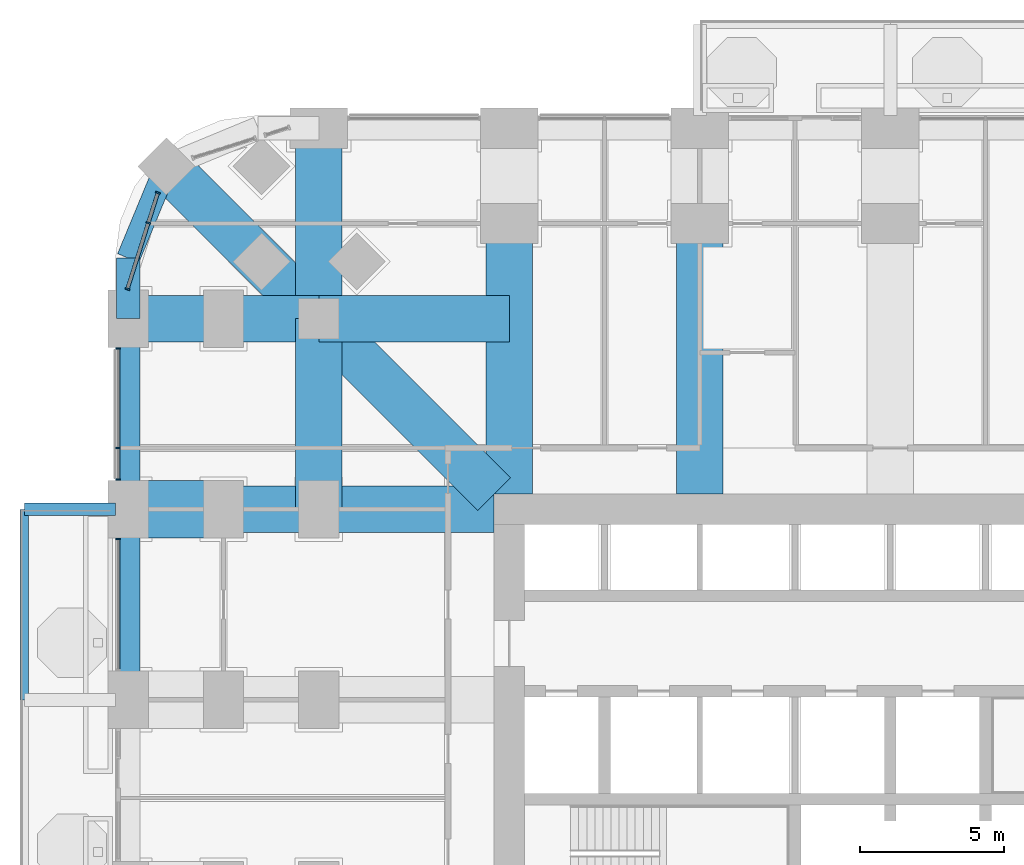
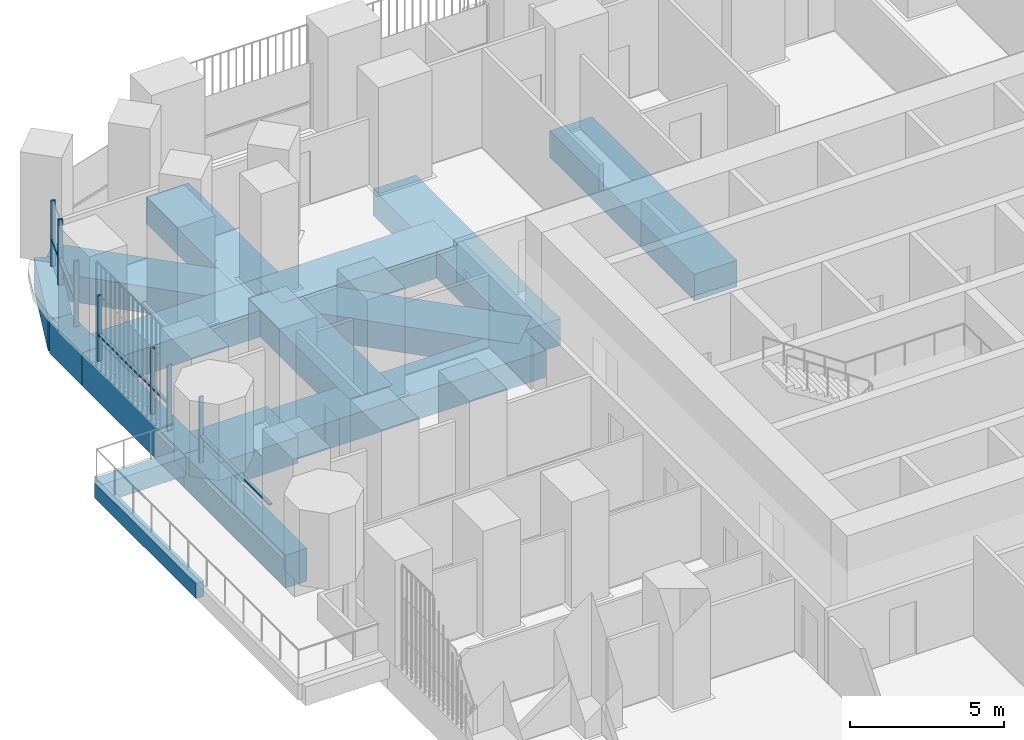
# One storey, part 6 of 25: 16 beams, 12 members, 3 elements without a shape of their own.
"""IFC4 building model written with IfcOpenShell, lengths in metres."""

from ifc_helpers import new_model, si_unit, direction, frame, origin, origin_2d, place, context, subcontext, project, spatial, rectangle, extrude, material, material_profile, profile_set, type_object, element, aggregate, save


model = new_model("IFC4")

# Units and contexts
model_context = context("Model", 3, precision=1e-05, world=origin(), true_north=direction((0.0, 1.0)))
body_context = subcontext(model_context, "Body", "Model", "MODEL_VIEW")
ifc_project = project(units=[si_unit("LENGTHUNIT", "METRE"), si_unit("AREAUNIT", "SQUARE_METRE"), si_unit("VOLUMEUNIT", "CUBIC_METRE"), si_unit("PLANEANGLEUNIT", "RADIAN"), si_unit("MASSUNIT", "GRAM", prefix="KILO")], contexts=[model_context])

# Site, building, storey
site_placement = place(None, origin())
site = spatial("IfcSite", under=ifc_project, at=site_placement, CompositionType="ELEMENT")
building_placement = place(site_placement, origin())
building = spatial("IfcBuilding", under=site, at=building_placement, Name="Cobogo Forest Laboratory Tower", CompositionType="ELEMENT")
storey_placement = place(building_placement, frame((0.0, 0.0, 67.5)))
storey = spatial("IfcBuildingStorey", under=building, at=storey_placement, Name="L15", CompositionType="ELEMENT", Elevation=67.5)

# Beams
ifc_material_1 = material(Name="Concrete HA-40 (C40/50)", Category="concrete")
ifc_material_profile_1 = material_profile(ifc_material_1, rectangle(XDim=0.449951171875, YDim=0.75, at=origin_2d()), Name="RC 450x750")
ifc_profile_set_1 = profile_set([ifc_material_profile_1], Name="Concrete HA-40 (C40/50)")
beam_type_1 = type_object("IfcBeamType", Name="Balcony cantilever beam 450x750", PredefinedType="BEAM", material=ifc_profile_set_1)
beam_1_placement = place(storey_placement, frame((-0.449951171875, 33.0, -0.625), z_axis=(-1.0, 0.0, 0.0), x_axis=(0.0, -1.0, 0.0)))
element("IfcBeam", 1, at=beam_1_placement, inside=storey, type_object=beam_type_1, Name="CB1 BAL-W1-C3 L15", PredefinedType="BEAM", context=body_context, shape_type="SweptSolid", body=[
    extrude(rectangle(XDim=0.449951171875, YDim=0.75, at=origin_2d()), origin(), (0.0, 0.0, 1.0), 3.150146484375),
])
ifc_material_profile_2 = material_profile(ifc_material_1, rectangle(XDim=0.300048828125, YDim=0.60009765625, at=origin_2d()), Name="RC 300x600")
ifc_profile_set_2 = profile_set([ifc_material_profile_2], Name="Concrete HA-40 (C40/50)")
beam_type_2 = type_object("IfcBeamType", Name="Balcony edge beam 300x600", PredefinedType="BEAM", material=ifc_profile_set_2)
beam_2_placement = place(storey_placement, frame((-3.60009765625, 26.39990234375, -0.550048828125), z_axis=(0.0, 1.0, 0.0), x_axis=(-1.0, 0.0, 0.0)))
element("IfcBeam", 2, at=beam_2_placement, inside=storey, type_object=beam_type_2, Name="BB1 BAL-W1-T2 L15", PredefinedType="BEAM", context=body_context, shape_type="SweptSolid", body=[
    extrude(rectangle(XDim=0.300048828125, YDim=0.60009765625, at=origin_2d()), origin(), (0.0, 0.0, 1.0), 6.60009765625),
])
ifc_material_2 = material(Name="Concrete HA-50 (C50/60)", Category="concrete")
ifc_material_profile_3 = material_profile(ifc_material_2, rectangle(XDim=2.0, YDim=1.050048828125, at=origin_2d()), Name="RC 2000x1050")
ifc_profile_set_3 = profile_set([ifc_material_profile_3], Name="Concrete HA-50 (C50/60)")
beam_type_3 = type_object("IfcBeamType", Name="End-bay wide beam 2000x1050", PredefinedType="BEAM", material=ifc_profile_set_3)
beam_3_placement = place(storey_placement, frame((0.0, 33.0, -0.824951171875), z_axis=(1.0, 0.0, 0.0), x_axis=(0.0, 1.0, 0.0)))
element("IfcBeam", 3, at=beam_3_placement, inside=storey, type_object=beam_type_3, Name="RB7 R-F-W-X L15", PredefinedType="BEAM", context=body_context, shape_type="SweptSolid", body=[
    extrude(rectangle(XDim=2.0, YDim=1.050048828125, at=origin_2d()), origin(), (0.0, 0.0, 1.0), 3.300048828125),
])
ifc_material_profile_4 = material_profile(ifc_material_2, rectangle(XDim=1.60009765625, YDim=1.050048828125, at=origin_2d()), Name="RC 1600x1050")
ifc_profile_set_4 = profile_set([ifc_material_profile_4], Name="Concrete HA-50 (C50/60)")
beam_type_4 = type_object("IfcBeamType", Name="Laboratory floor wide beam 1600x1050", PredefinedType="BEAM", material=ifc_profile_set_4)
for number, where, z_axis, x_axis, name in (
    (4, (13.199951171875, 33.52490234375, -0.824951171875), (0.0, 1.0, 0.0), (-1.0, 0.0, 0.0), "RB8 R-3-N L15"),
    (5, (19.800048828125, 33.52490234375, -0.824951171875), (0.0, 1.0, 0.0), (-1.0, 0.0, 0.0), "RB8 R-4-N L15"),
    (6, (12.675048828125, 33.0, -0.824951171875), (-1.0, 0.0, 0.0), (0.0, -1.0, 0.0), "RB8 R-F-W L15"),
):
    element("IfcBeam", number, at=place(storey_placement, frame(where, z_axis=z_axis, x_axis=x_axis)), inside=storey, type_object=beam_type_4, Name=name, PredefinedType="BEAM", context=body_context, shape_type="SweptSolid", body=[
        extrude(rectangle(XDim=1.60009765625, YDim=1.050048828125, at=origin_2d()), origin(), (0.0, 0.0, 1.0), 9.375),
    ])
beam_4_placement = place(storey_placement, frame((6.60009765625, 46.199951171875, -0.824951171875), z_axis=(0.0, -1.0, 0.0), x_axis=(1.0, 0.0, 0.0)))
element("IfcBeam", 7, at=beam_4_placement, inside=storey, type_object=beam_type_4, Name="RB8 G-NW-XF L15", PredefinedType="BEAM", context=body_context, shape_type="SweptSolid", body=[
    extrude(rectangle(XDim=1.60009765625, YDim=1.050048828125, at=origin_2d()), origin(), (0.0, 0.0, 1.0), 6.599853515625),
])
for number, where, z_axis, x_axis, name in (
    (8, (6.60009765625, 39.60009765625, -0.824951171875), (0.0, -1.0, 0.0), (1.0, 0.0, 0.0), "RB8 G-NW-XC L15"),
    (9, (0.0, 39.60009765625, -0.824951171875), (1.0, 0.0, 0.0), (0.0, 1.0, 0.0), "RB8 G-NW-YF L15"),
):
    element("IfcBeam", number, at=place(storey_placement, frame(where, z_axis=z_axis, x_axis=x_axis)), inside=storey, type_object=beam_type_4, Name=name, PredefinedType="BEAM", context=body_context, shape_type="SweptSolid", body=[
        extrude(rectangle(XDim=1.60009765625, YDim=1.050048828125, at=origin_2d()), origin(), (0.0, 0.0, 1.0), 6.60009765625),
    ])
beam_5_placement = place(storey_placement, frame((6.60009765625, 39.60009765625, -0.824951171875), z_axis=(1.0, 0.0, 0.0), x_axis=(0.0, 1.0, 0.0)))
element("IfcBeam", 10, at=beam_5_placement, inside=storey, type_object=beam_type_4, Name="RB8 G-NW-YC L15", PredefinedType="BEAM", context=body_context, shape_type="SweptSolid", body=[
    extrude(rectangle(XDim=1.60009765625, YDim=1.050048828125, at=origin_2d()), origin(), (0.0, 0.0, 1.0), 6.599853515625),
])
beam_6_placement = place(storey_placement, frame((1.318115234375, 44.882080078125, -0.824951171875), z_axis=(0.707106781187, -0.707106781187, 0.0), x_axis=(0.707106781187, 0.707106781187, 0.0)))
element("IfcBeam", 11, at=beam_6_placement, inside=storey, type_object=beam_type_4, Name="RB8 G-NW-D1 L15", PredefinedType="BEAM", context=body_context, shape_type="SweptSolid", body=[
    extrude(rectangle(XDim=1.60009765625, YDim=1.050048828125, at=origin_2d()), origin(), (0.0, 0.0, 1.0), 7.469970703125),
])
beam_7_placement = place(storey_placement, frame((6.60009765625, 39.60009765625, -0.824951171875), z_axis=(0.707092572697, -0.70712098939, 0.0), x_axis=(0.70712098939, 0.707092572697, 0.0)))
element("IfcBeam", 12, at=beam_7_placement, inside=storey, type_object=beam_type_4, Name="RB8 G-NW-D2 L15", PredefinedType="BEAM", context=body_context, shape_type="SweptSolid", body=[
    extrude(rectangle(XDim=1.60009765625, YDim=1.050048828125, at=origin_2d()), origin(), (0.0, 0.0, 1.0), 8.591552734375),
])

# Curtain wall, members
ifc_material_3 = material(Name="Aluminium curtain wall", Category="aluminium")
curtain_wall_type = type_object("IfcCurtainWallType", Name="CW-1 unitised curtain wall, clear glazing, laboratory floors zones A and B", PredefinedType="USERDEFINED", material=ifc_material_3)
curtain_wall_1_placement = place(storey_placement, origin())
curtain_wall_1 = element("IfcCurtainWall", 13, at=curtain_wall_1_placement, inside=storey, type_object=curtain_wall_type, Name="Curtain wall 26 L15", ObjectType="UNITISED CURTAIN WALL", PredefinedType="USERDEFINED")
ifc_material_4 = material(Name="Aluminium mullion", Category="aluminium")
ifc_material_profile_5 = material_profile(ifc_material_4, rectangle(XDim=0.06005859375, YDim=0.159912109375, at=origin_2d()), Name="AL 60x160")
ifc_profile_set_5 = profile_set([ifc_material_profile_5], Name="Aluminium mullion")
member_type_1 = type_object("IfcMemberType", Name="MU-1 aluminium mullion 60x160", PredefinedType="MULLION", material=ifc_profile_set_5)
member_1_placement = place(storey_placement, frame((1.02734375, 43.961181640625, 0.0), z_axis=(0.0, 0.0, 1.0), x_axis=(-0.301135433696, -0.953581381201, 0.0)))
member_1 = element("IfcMember", 14, at=member_1_placement, type_object=member_type_1, Name="CW-1 mullion 1", PredefinedType="MULLION", context=body_context, shape_type="SweptSolid", body=[
    extrude(rectangle(XDim=0.06005859375, YDim=0.159912109375, at=origin_2d()), origin(), (0.0, 0.0, 1.0), 2.60009765625),
])
member_2_placement = place(storey_placement, frame((0.69970703125, 42.924072265625, 0.0), z_axis=(0.0, 0.0, 1.0), x_axis=(-0.301135433696, -0.953581381201, 0.0)))
member_2 = element("IfcMember", 15, at=member_2_placement, type_object=member_type_1, Name="CW-1 mullion 2", PredefinedType="MULLION", context=body_context, shape_type="SweptSolid", body=[
    extrude(rectangle(XDim=0.06005859375, YDim=0.159912109375, at=origin_2d()), origin(), (0.0, 0.0, 1.0), 2.60009765625),
])
member_3_placement = place(storey_placement, frame((-0.025146484375, 40.628662109375, 0.0), z_axis=(0.0, 0.0, 1.0), x_axis=(-0.301135433696, -0.953581381201, 0.0)))
member_3 = element("IfcMember", 16, at=member_3_placement, type_object=member_type_1, Name="CW-1 mullion 3", PredefinedType="MULLION", context=body_context, shape_type="SweptSolid", body=[
    extrude(rectangle(XDim=0.06005859375, YDim=0.159912109375, at=origin_2d()), origin(), (0.0, 0.0, 1.0), 2.60009765625),
])

curtain_wall_2_placement = place(storey_placement, origin())
curtain_wall_2 = element("IfcCurtainWall", 17, at=curtain_wall_2_placement, inside=storey, type_object=curtain_wall_type, Name="Curtain wall 27 L15", ObjectType="UNITISED CURTAIN WALL", PredefinedType="USERDEFINED")
member_4_placement = place(storey_placement, frame((-0.35009765625, 38.570068359375, 0.0), z_axis=(0.0, 0.0, 1.0), x_axis=(0.0, -1.0, 0.0)))
member_4 = element("IfcMember", 18, at=member_4_placement, type_object=member_type_1, Name="CW-1 mullion 1", PredefinedType="MULLION", context=body_context, shape_type="SweptSolid", body=[
    extrude(rectangle(XDim=0.06005859375, YDim=0.159912109375, at=origin_2d()), origin(), (0.0, 0.0, 1.0), 2.60009765625),
])
member_5_placement = place(storey_placement, frame((-0.35009765625, 35.125, 0.0), z_axis=(0.0, 0.0, 1.0), x_axis=(0.0, -1.0, 0.0)))
member_5 = element("IfcMember", 19, at=member_5_placement, type_object=member_type_1, Name="CW-1 mullion 2", PredefinedType="MULLION", context=body_context, shape_type="SweptSolid", body=[
    extrude(rectangle(XDim=0.06005859375, YDim=0.159912109375, at=origin_2d()), origin(), (0.0, 0.0, 1.0), 2.60009765625),
])
member_6_placement = place(storey_placement, frame((-0.35009765625, 34.030029296875, 0.0), z_axis=(0.0, 0.0, 1.0), x_axis=(0.0, -1.0, 0.0)))
member_6 = element("IfcMember", 20, at=member_6_placement, type_object=member_type_1, Name="CW-1 mullion 3", PredefinedType="MULLION", context=body_context, shape_type="SweptSolid", body=[
    extrude(rectangle(XDim=0.06005859375, YDim=0.159912109375, at=origin_2d()), origin(), (0.0, 0.0, 1.0), 2.60009765625),
])

# Curtain wall, member
curtain_wall_3_placement = place(storey_placement, origin())
curtain_wall_3 = element("IfcCurtainWall", 21, at=curtain_wall_3_placement, inside=storey, type_object=curtain_wall_type, Name="Curtain wall 28 L15", ObjectType="UNITISED CURTAIN WALL", PredefinedType="USERDEFINED")
member_7_placement = place(storey_placement, frame((-0.35009765625, 31.969970703125, 0.0), z_axis=(0.0, 0.0, 1.0), x_axis=(0.0, -1.0, 0.0)))
member_7 = element("IfcMember", 22, at=member_7_placement, type_object=member_type_1, Name="CW-1 mullion 1", PredefinedType="MULLION", context=body_context, shape_type="SweptSolid", body=[
    extrude(rectangle(XDim=0.06005859375, YDim=0.159912109375, at=origin_2d()), origin(), (0.0, 0.0, 1.0), 2.60009765625),
])

# Beams
ifc_material_profile_6 = material_profile(ifc_material_1, rectangle(XDim=0.800048828125, YDim=1.300048828125, at=origin_2d()), Name="RC 800x1300")
ifc_profile_set_6 = profile_set([ifc_material_profile_6], Name="Concrete HA-40 (C40/50)")
beam_type_5 = type_object("IfcBeamType", Name="Perimeter edge beam 800x1300", PredefinedType="BEAM", material=ifc_profile_set_6)
for number, where, z_axis, x_axis, name in (
    (23, (0.0, 26.39990234375, -0.949951171875), (0.0, 1.0, 0.0), (-1.0, 0.0, 0.0), "EB2 E-W4 L15"),
    (24, (0.0, 33.0, -0.949951171875), (0.0, 1.0, 0.0), (-1.0, 0.0, 0.0), "EB2 E-W5 L15"),
):
    element("IfcBeam", number, at=place(storey_placement, frame(where, z_axis=z_axis, x_axis=x_axis)), inside=storey, type_object=beam_type_5, Name=name, PredefinedType="BEAM", context=body_context, shape_type="SweptSolid", body=[
        extrude(rectangle(XDim=0.800048828125, YDim=1.300048828125, at=origin_2d()), origin(), (0.0, 0.0, 1.0), 6.60009765625),
    ])
beam_8_placement = place(storey_placement, frame((0.0, 39.60009765625, -0.949951171875), z_axis=(0.0, 1.0, 0.0), x_axis=(-1.0, 0.0, 0.0)))
element("IfcBeam", 25, at=beam_8_placement, inside=storey, type_object=beam_type_5, Name="EB2 E-NWW1 L15", PredefinedType="BEAM", context=body_context, shape_type="SweptSolid", body=[
    extrude(rectangle(XDim=0.800048828125, YDim=1.300048828125, at=origin_2d()), origin(), (0.0, 0.0, 1.0), 2.099853515625),
])
beam_9_placement = place(storey_placement, frame((0.0, 41.699951171875, -0.949951171875), z_axis=(0.382691928466, 0.923876013265, 0.0), x_axis=(-0.923876013265, 0.382691928466, 0.0)))
element("IfcBeam", 26, at=beam_9_placement, inside=storey, type_object=beam_type_5, Name="EB2 E-NWW2 L15", PredefinedType="BEAM", context=body_context, shape_type="SweptSolid", body=[
    extrude(rectangle(XDim=0.800048828125, YDim=1.300048828125, at=origin_2d()), origin(), (0.0, 0.0, 1.0), 3.4443359375),
])

# Member
ifc_material_5 = material(Name="Aluminium transom", Category="aluminium")
ifc_material_profile_7 = material_profile(ifc_material_5, rectangle(XDim=0.1201171875, YDim=0.06005859375, at=origin_2d()), Name="AL 60x120")
ifc_profile_set_7 = profile_set([ifc_material_profile_7], Name="Aluminium transom")
member_type_2 = type_object("IfcMemberType", Name="TR-1 aluminium transom 60x120", PredefinedType="USERDEFINED", material=ifc_profile_set_7)
member_8_placement = place(storey_placement, frame((1.018310546875, 43.9326171875, 1.050048828125), z_axis=(-0.301222320394, -0.953553938535, 0.0), x_axis=(0.953553938535, -0.301222320394, 0.0)))
member_8 = element("IfcMember", 27, at=member_8_placement, type_object=member_type_2, Name="CW-1 transom 1.1", ObjectType="TRANSOM", PredefinedType="USERDEFINED", context=body_context, shape_type="SweptSolid", body=[
    extrude(rectangle(XDim=0.1201171875, YDim=0.06005859375, at=origin_2d()), origin(), (0.0, 0.0, 1.0), 1.02783203125),
])

member_9_placement = place(storey_placement, frame((0.690673828125, 42.8955078125, 1.050048828125), z_axis=(-0.301116434103, -0.953587380953, 0.0), x_axis=(0.953587380953, -0.301116434103, 0.0)))
member_9 = element("IfcMember", 28, at=member_9_placement, type_object=member_type_2, Name="CW-1 transom 2.1", ObjectType="TRANSOM", PredefinedType="USERDEFINED", context=body_context, shape_type="SweptSolid", body=[
    extrude(rectangle(XDim=0.1201171875, YDim=0.06005859375, at=origin_2d()), origin(), (0.0, 0.0, 1.0), 2.34716796875),
])

aggregate(curtain_wall_1, [member_1, member_2, member_3, member_8, member_9])

member_10_placement = place(storey_placement, frame((-0.35009765625, 38.5400390625, 1.050048828125), z_axis=(0.0, -1.0, 0.0), x_axis=(1.0, 0.0, 0.0)))
member_10 = element("IfcMember", 29, at=member_10_placement, type_object=member_type_2, Name="CW-1 transom 1.1", ObjectType="TRANSOM", PredefinedType="USERDEFINED", context=body_context, shape_type="SweptSolid", body=[
    extrude(rectangle(XDim=0.1201171875, YDim=0.06005859375, at=origin_2d()), origin(), (0.0, 0.0, 1.0), 3.385009765625),
])

member_11_placement = place(storey_placement, frame((-0.35009765625, 35.094970703125, 1.050048828125), z_axis=(0.0, -1.0, 0.0), x_axis=(1.0, 0.0, 0.0)))
member_11 = element("IfcMember", 30, at=member_11_placement, type_object=member_type_2, Name="CW-1 transom 2.1", ObjectType="TRANSOM", PredefinedType="USERDEFINED", context=body_context, shape_type="SweptSolid", body=[
    extrude(rectangle(XDim=0.1201171875, YDim=0.06005859375, at=origin_2d()), origin(), (0.0, 0.0, 1.0), 1.034912109375),
])

aggregate(curtain_wall_2, [member_4, member_5, member_6, member_10, member_11])

member_12_placement = place(storey_placement, frame((-0.35009765625, 31.93994140625, 1.050048828125), z_axis=(0.0, -1.0, 0.0), x_axis=(1.0, 0.0, 0.0)))
member_12 = element("IfcMember", 31, at=member_12_placement, type_object=member_type_2, Name="CW-1 transom 1.1", ObjectType="TRANSOM", PredefinedType="USERDEFINED", context=body_context, shape_type="SweptSolid", body=[
    extrude(rectangle(XDim=0.1201171875, YDim=0.06005859375, at=origin_2d()), origin(), (0.0, 0.0, 1.0), 4.47998046875),
])

aggregate(curtain_wall_3, [member_7, member_12])

save(model, "model.ifc")
